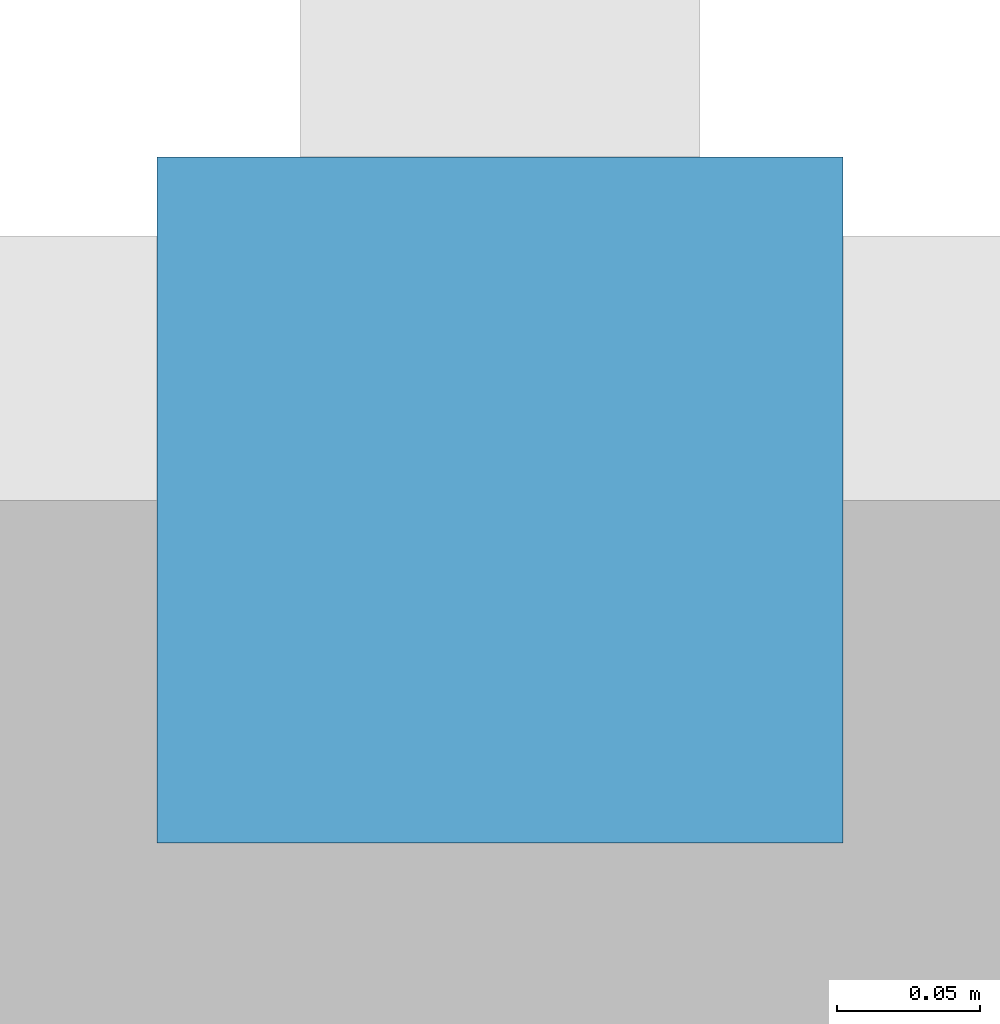
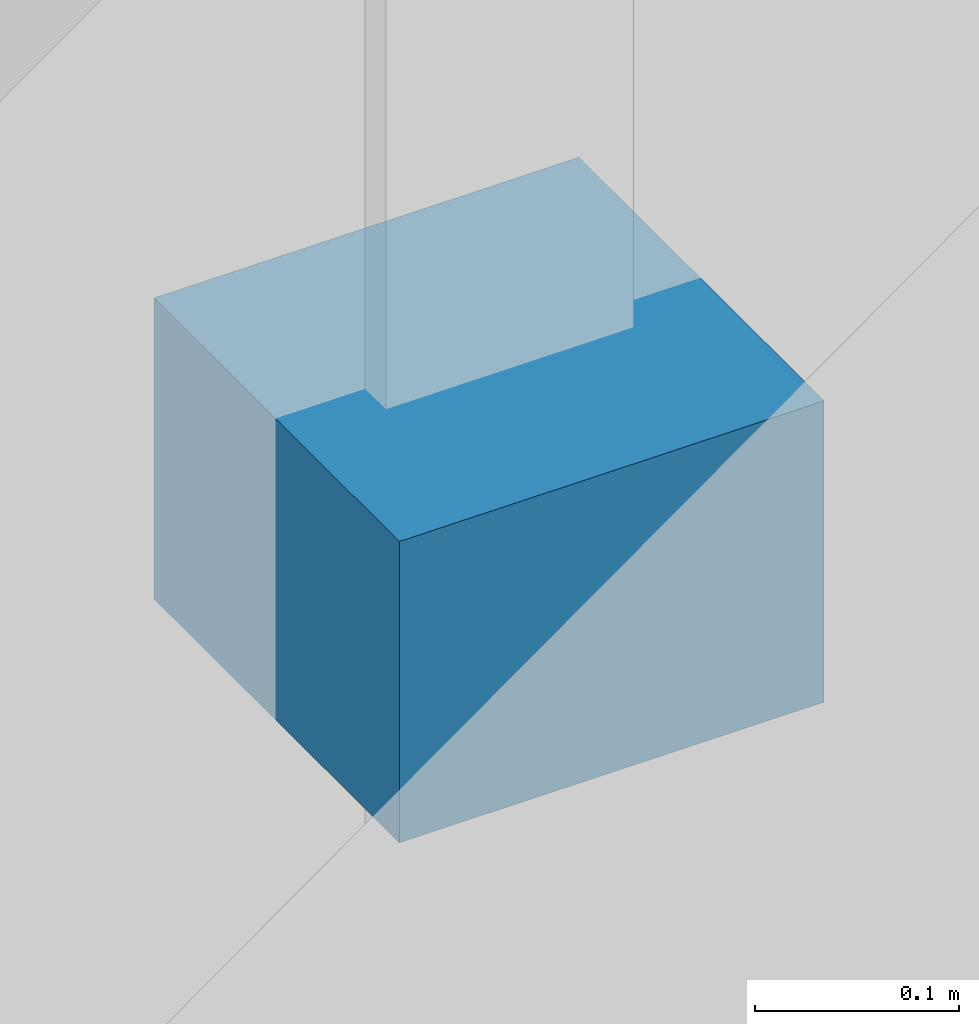
# One storey, part 39 of 50: 1 discrete accessory.
"""IFC4 building model written with IfcOpenShell, lengths in metres."""

from ifc_helpers import new_model, si_unit, direction, frame, origin, origin_2d, place, context, subcontext, project, spatial, rectangle, extrude, material, layer, layer_set, type_object, element, save


model = new_model("IFC4")

# Units and contexts
model_context = context("Model", 3, precision=1e-05, world=origin(), true_north=direction((0.0, 1.0)))
body_context = subcontext(model_context, "Body", "Model", "MODEL_VIEW")
ifc_project = project(units=[si_unit("LENGTHUNIT", "METRE"), si_unit("AREAUNIT", "SQUARE_METRE"), si_unit("VOLUMEUNIT", "CUBIC_METRE"), si_unit("PLANEANGLEUNIT", "RADIAN"), si_unit("MASSUNIT", "GRAM", prefix="KILO")], contexts=[model_context])

# Site, building, storey
site_placement = place(None, origin())
site = spatial("IfcSite", under=ifc_project, at=site_placement, CompositionType="ELEMENT")
building_placement = place(site_placement, origin())
building = spatial("IfcBuilding", under=site, at=building_placement, Name="Zaverband Oceanarium and Marine Research Institute", CompositionType="ELEMENT")
storey_placement = place(building_placement, frame((0.0, 0.0, 4.5)))
storey = spatial("IfcBuildingStorey", under=building, at=storey_placement, Name="L01", CompositionType="ELEMENT", Elevation=4.5)

# Discrete accessory
ifc_material = material(Name="Steel S355", Category="steel")
ifc_layer = layer(ifc_material, 0.179931640625, Name="Steel S355")
ifc_layer_set = layer_set([ifc_layer], Name="Steel S355")
discrete_accessory_type = type_object("IfcDiscreteAccessoryType", Name="BRK-STL-200", PredefinedType="BRACKET", material=ifc_layer_set)
discrete_accessory_placement = place(storey_placement, frame((127.10498046875, 120.132568359375, 1.22021484375), z_axis=(0.0, 0.0, 1.0), x_axis=(1.0, 0.0, 0.0)))
element("IfcDiscreteAccessory", 1, at=discrete_accessory_placement, inside=storey, type_object=discrete_accessory_type, Name="Galvanized steel facade fin structural bracket BRK-STL-200", PredefinedType="BRACKET", context=body_context, shape_type="SweptSolid", body=[
    extrude(rectangle(XDim=0.239990234375, YDim=0.239990234375, at=origin_2d()), origin(), (0.0, 0.0, 1.0), 0.179931640625),
])

save(model, "model.ifc")
